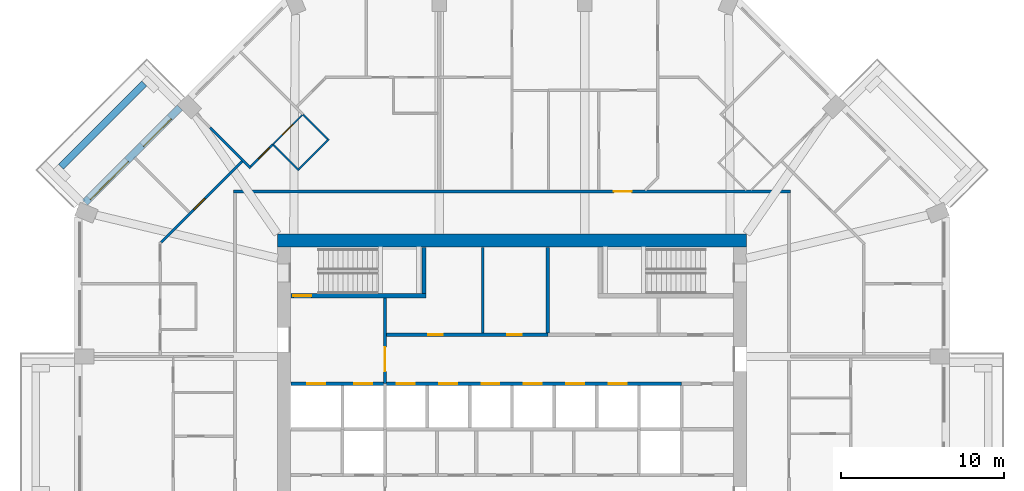
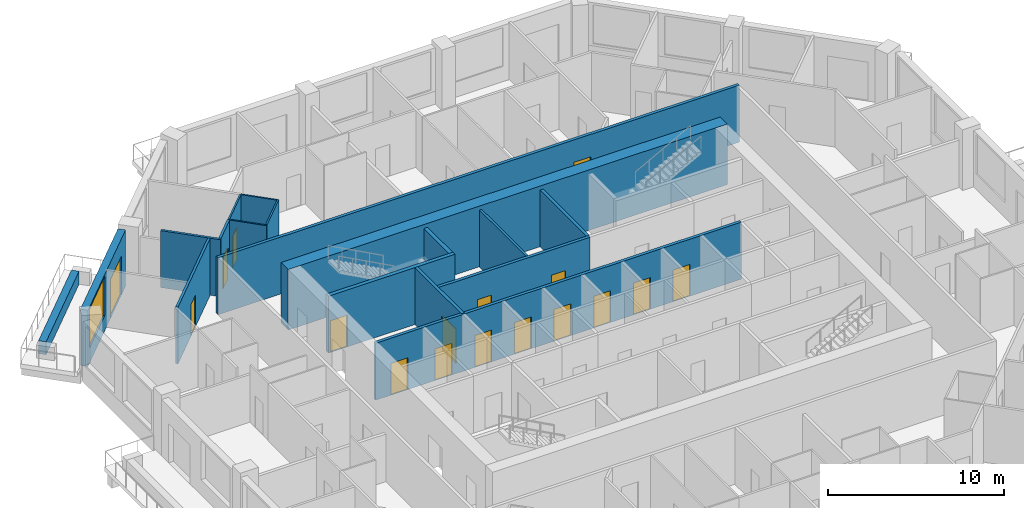
# One storey, part 8 of 13: 18 walls, 17 doors, 1 window, 18 openings.
"""IFC4 building model written with IfcOpenShell, lengths in metres."""

from ifc_helpers import new_model, si_unit, direction, frame, frame_2d, origin, place, context, subcontext, project, spatial, rectangle, extrude, material, layer, layer_set, type_object, element, fill, save


model = new_model("IFC4")

# Units and contexts
model_context = context("Model", 3, precision=1e-05, world=origin(), true_north=direction((0.0, 1.0)))
body_context = subcontext(model_context, "Body", "Model", "MODEL_VIEW")
ifc_project = project(units=[si_unit("LENGTHUNIT", "METRE"), si_unit("AREAUNIT", "SQUARE_METRE"), si_unit("VOLUMEUNIT", "CUBIC_METRE"), si_unit("PLANEANGLEUNIT", "RADIAN"), si_unit("MASSUNIT", "GRAM", prefix="KILO")], contexts=[model_context])

# Site, building, storey
site_placement = place(None, origin())
site = spatial("IfcSite", under=ifc_project, at=site_placement, CompositionType="ELEMENT")
building_placement = place(site_placement, origin())
building = spatial("IfcBuilding", under=site, at=building_placement, Name="Msitu Wima Residences", CompositionType="ELEMENT")
storey_placement = place(building_placement, frame((0.0, 0.0, 114.89990234375)))
storey = spatial("IfcBuildingStorey", under=building, at=storey_placement, Name="L26", CompositionType="ELEMENT", Elevation=114.89990234375)

# Wall
ifc_material_1 = material(Name="Facing brick")
ifc_layer_1 = layer(ifc_material_1, 0.06494140625, Name="Facing brick")
ifc_material_2 = material(Name="Concrete C40/50", Category="concrete")
ifc_layer_2 = layer(ifc_material_2, 0.156005859375, Name="Concrete C40/50")
ifc_material_3 = material(Name="Waterproofing membrane")
ifc_layer_3 = layer(ifc_material_3, 0.00390625, Name="Waterproofing membrane")
ifc_material_4 = material(Name="Planting soil and planting")
ifc_layer_4 = layer(ifc_material_4, 0.22509765625, Name="Planting soil and planting")
ifc_layer_set_1 = layer_set([ifc_layer_1, ifc_layer_2, ifc_layer_3, ifc_layer_4], Name="Concrete C40/50")
wall_type_1 = type_object("IfcWallType", Name="Balcony planter PLANTER PL450", PredefinedType="USERDEFINED", material=ifc_layer_set_1)
wall_1_placement = place(storey_placement, frame((-22.572265625, 21.228759765625, 0.0), z_axis=(0.0, 0.0, 1.0), x_axis=(-0.707106781187, -0.707106781187, 0.0)))
element("IfcWall", 1, at=wall_1_placement, inside=storey, type_object=wall_type_1, Name="Balcony planter NW1 L26", ObjectType="PLANTER", PredefinedType="USERDEFINED", context=body_context, shape_type="SweptSolid", body=[
    extrude(rectangle(XDim=7.23828125, YDim=0.449951171875, at=frame_2d((3.619140625, 0.0))), origin(), (0.0, 0.0, 1.0), 0.900146484375),
])

# Wall, openings, door, window
ifc_material_5 = material(Name="Brick (red buff mix)", Category="masonry")
ifc_layer_5 = layer(ifc_material_5, 0.449951171875)
ifc_layer_set_2 = layer_set([ifc_layer_5], Name="Brick (red buff mix)")
wall_type_2 = type_object("IfcWallType", Name="Brick infill wall BW450", PredefinedType="SOLIDWALL", material=ifc_layer_set_2)
wall_2_placement = place(storey_placement, frame((-20.380126953125, 19.743896484375, 0.0), z_axis=(0.0, 0.0, 1.0), x_axis=(-0.707106781187, -0.707106781187, 0.0)))
wall_2 = element("IfcWall", 2, at=wall_2_placement, inside=storey, type_object=wall_type_2, Name="Brick infill wall L26 NW1", PredefinedType="SOLIDWALL", context=body_context, shape_type="SweptSolid", body=[
    extrude(rectangle(XDim=8.251220703125, YDim=0.449951171875, at=frame_2d((4.12548828125, 0.0))), origin(), (0.0, 0.0, 1.0), 3.900146484375),
])
opening_1_placement = place(wall_2_placement, frame((0.86279296875, 0.0, 0.0)))
opening_1 = element("IfcOpeningElement", 3, at=opening_1_placement, cuts=wall_2, Name="Opening D25-26.005", PredefinedType="OPENING", context=body_context, shape_type="SweptSolid", body=[
    extrude(rectangle(XDim=2.39990234375, YDim=2.699951171875, at=frame_2d((1.199951171875, 1.35009765625))), frame((0.0, 0.23486328125, 0.0), z_axis=(0.0, -1.0, 0.0), x_axis=(1.0, 0.0, 0.0)), (0.0, 0.0, 1.0), 0.469970703125),
])
opening_2_placement = place(wall_2_placement, frame((4.57568359375, 0.0, 1.050048828125)))
opening_2 = element("IfcOpeningElement", 4, at=opening_2_placement, cuts=wall_2, Name="Opening W25-26.015", PredefinedType="OPENING", context=body_context, shape_type="SweptSolid", body=[
    extrude(rectangle(XDim=3.300048828125, YDim=2.699951171875, at=frame_2d((1.64990234375, 1.35009765625))), frame((0.0, 0.23486328125, 0.0), z_axis=(0.0, -1.0, 0.0), x_axis=(1.0, 0.0, 0.0)), (0.0, 0.0, 1.0), 0.469970703125),
])
ifc_material_6 = material(Name="Anodised aluminium, bronze finish, clear low-emissivity double glazing", Category="aluminium")
door_type_1 = type_object("IfcDoorType", Name="Balcony door D2400x2700", OperationType="SLIDING_TO_LEFT", PredefinedType="DOOR", material=ifc_material_6)
door_1_placement = place(opening_1_placement, origin())
door_1 = element("IfcDoor", 5, at=door_1_placement, inside=storey, type_object=door_type_1, Name="Balcony door L26 NW1", OperationType="SINGLE_SWING_LEFT", OverallHeight=2.699951171875, OverallWidth=2.39990234375, PredefinedType="DOOR", context=body_context, shape_type="SweptSolid", body=[
    extrude(rectangle(XDim=2.39990234375, YDim=2.699951171875, at=frame_2d((1.199951171875, 1.35009765625))), frame((0.0, 0.1298828125, 0.0), z_axis=(0.0, -1.0, 0.0), x_axis=(1.0, 0.0, 0.0)), (0.0, 0.0, 1.0), 0.050048828125),
])
fill(opening_1, door_1)
window_type = type_object("IfcWindowType", Name="Window W3300x2700", PartitioningType="DOUBLE_PANEL_VERTICAL", PredefinedType="WINDOW", material=ifc_material_6)
window_placement = place(opening_2_placement, origin())
window = element("IfcWindow", 6, at=window_placement, inside=storey, type_object=window_type, Name="Window L26 NW1.2", OverallHeight=2.699951171875, OverallWidth=3.300048828125, PartitioningType="SINGLE_PANEL", PredefinedType="WINDOW", context=body_context, shape_type="SweptSolid", body=[
    extrude(rectangle(XDim=3.300048828125, YDim=2.699951171875, at=frame_2d((1.64990234375, 1.35009765625))), frame((0.0, 0.135009765625, 0.0), z_axis=(0.0, -1.0, 0.0), x_axis=(1.0, 0.0, 0.0)), (0.0, 0.0, 1.0), 0.06005859375),
])
fill(opening_2, window)

# Wall
ifc_material_7 = material(Name="Concrete C70/85", Category="concrete")
ifc_layer_6 = layer(ifc_material_7, 0.800048828125)
ifc_layer_set_3 = layer_set([ifc_layer_6], Name="Concrete C70/85")
wall_type_3 = type_object("IfcWallType", Name="Core wall CW800 C70/85", PredefinedType="SHEAR", material=ifc_layer_set_3)
wall_3_placement = place(storey_placement, frame((-14.39990234375, 11.60009765625, 0.0), z_axis=(0.0, 0.0, 1.0), x_axis=(1.0, 0.0, 0.0)))
element("IfcWall", 7, at=wall_3_placement, inside=storey, type_object=wall_type_3, Name="Core wall", PredefinedType="SHEAR", context=body_context, shape_type="SweptSolid", body=[
    extrude(rectangle(XDim=28.7998046875, YDim=0.800048828125, at=frame_2d((14.39990234375, 0.0))), origin(), (0.0, 0.0, 1.0), 4.2001953125),
])

# Wall, opening, door
ifc_material_8 = material(Name="Plaster")
ifc_layer_7 = layer(ifc_material_8, 0.011962890625, Name="Plaster")
ifc_material_9 = material(Name="Concrete blockwork", Category="masonry")
ifc_layer_8 = layer(ifc_material_9, 0.176025390625, Name="Concrete blockwork")
ifc_layer_9 = layer(ifc_material_8, 0.011962890625, Name="Plaster")
ifc_layer_set_4 = layer_set([ifc_layer_7, ifc_layer_8, ifc_layer_9], Name="Concrete blockwork")
wall_type_4 = type_object("IfcWallType", Name="Corridor wall FW200", PredefinedType="PARTITIONING", material=ifc_layer_set_4)
wall_4_placement = place(storey_placement, frame((-17.10009765625, 14.60009765625, 0.0), z_axis=(0.0, 0.0, 1.0), x_axis=(1.0, 0.0, 0.0)))
wall_4 = element("IfcWall", 8, at=wall_4_placement, inside=storey, type_object=wall_type_4, Name="Corridor wall", PredefinedType="PARTITIONING", context=body_context, shape_type="SweptSolid", body=[
    extrude(rectangle(XDim=34.2001953125, YDim=0.199951171875, at=frame_2d((17.10009765625, 0.0))), origin(), (0.0, 0.0, 1.0), 3.9501953125),
])
opening_3_placement = place(wall_4_placement, frame((23.35009765625, 0.0, 0.0)))
opening_3 = element("IfcOpeningElement", 9, at=opening_3_placement, cuts=wall_4, Name="Opening D25-26.011", PredefinedType="OPENING", context=body_context, shape_type="SweptSolid", body=[
    extrude(rectangle(XDim=1.10009765625, YDim=2.39990234375, at=frame_2d((0.550048828125, 1.199951171875))), frame((0.0, 0.10986328125, 0.0), z_axis=(0.0, -1.0, 0.0), x_axis=(1.0, 0.0, 0.0)), (0.0, 0.0, 1.0), 0.219970703125),
])
ifc_material_10 = material(Name="Timber flush door, fire resisting, self-closing", Category="wood")
door_type_2 = type_object("IfcDoorType", Name="Flat entrance door D01 1100x2400", OperationType="SINGLE_SWING_LEFT", PredefinedType="DOOR", material=ifc_material_10)
door_2_placement = place(opening_3_placement, origin())
door_2 = element("IfcDoor", 10, at=door_2_placement, inside=storey, type_object=door_type_2, Name="Flat entrance door", OperationType="SINGLE_SWING_LEFT", OverallHeight=2.39990234375, OverallWidth=1.10009765625, PredefinedType="DOOR", context=body_context, shape_type="SweptSolid", body=[
    extrude(rectangle(XDim=1.10009765625, YDim=2.39990234375, at=frame_2d((0.550048828125, 1.199951171875))), frame((0.0, 0.02490234375, 0.0), z_axis=(0.0, -1.0, 0.0), x_axis=(1.0, 0.0, 0.0)), (0.0, 0.0, 1.0), 0.050048828125),
])
fill(opening_3, door_2)

wall_5_placement = place(storey_placement, frame((-7.800048828125, 2.800048828125, 0.0), z_axis=(0.0, 0.0, 1.0), x_axis=(0.0, 1.0, 0.0)))
wall_5 = element("IfcWall", 11, at=wall_5_placement, inside=storey, type_object=wall_type_4, Name="Corridor wall", PredefinedType="PARTITIONING", context=body_context, shape_type="SweptSolid", body=[
    extrude(rectangle(XDim=5.27490234375, YDim=0.199951171875, at=frame_2d((2.637451171875, 0.0))), origin(), (0.0, 0.0, 1.0), 3.9501953125),
])
opening_4_placement = place(wall_5_placement, frame((0.75, 0.0, 0.0)))
opening_4 = element("IfcOpeningElement", 12, at=opening_4_placement, cuts=wall_5, Name="Opening D25-26.017", PredefinedType="OPENING", context=body_context, shape_type="SweptSolid", body=[
    extrude(rectangle(XDim=1.5, YDim=2.39990234375, at=frame_2d((0.75, 1.199951171875))), frame((0.0, 0.10986328125, 0.0), z_axis=(0.0, -1.0, 0.0), x_axis=(1.0, 0.0, 0.0)), (0.0, 0.0, 1.0), 0.219970703125),
])
ifc_material_11 = material(Name="Steel framed glazed door, fire resisting", Category="steel")
door_type_3 = type_object("IfcDoorType", Name="Lobby door D07 1500x2400", OperationType="DOUBLE_DOOR_SINGLE_SWING", PredefinedType="DOOR", material=ifc_material_11)
door_3_placement = place(opening_4_placement, origin())
door_3 = element("IfcDoor", 13, at=door_3_placement, inside=storey, type_object=door_type_3, Name="Lobby door", OperationType="DOUBLE_DOOR_SINGLE_SWING", OverallHeight=2.39990234375, OverallWidth=1.5, PredefinedType="DOOR", context=body_context, shape_type="SweptSolid", body=[
    extrude(rectangle(XDim=1.5, YDim=2.39990234375, at=frame_2d((0.75, 1.199951171875))), frame((0.0, 0.02490234375, 0.0), z_axis=(0.0, -1.0, 0.0), x_axis=(1.0, 0.0, 0.0)), (0.0, 0.0, 1.0), 0.050048828125),
])
fill(opening_4, door_3)

# Wall, openings, doors
wall_6_placement = place(storey_placement, frame((-7.699951171875, 5.800048828125, 0.0), z_axis=(0.0, 0.0, 1.0), x_axis=(1.0, 0.0, 0.0)))
wall_6 = element("IfcWall", 14, at=wall_6_placement, inside=storey, type_object=wall_type_4, Name="Corridor wall", PredefinedType="PARTITIONING", context=body_context, shape_type="SweptSolid", body=[
    extrude(rectangle(XDim=9.919921875, YDim=0.199951171875, at=frame_2d((4.9599609375, 0.0))), origin(), (0.0, 0.0, 1.0), 3.9501953125),
])
opening_5_placement = place(wall_6_placement, frame((2.550048828125, 0.0, 0.0)))
opening_5 = element("IfcOpeningElement", 15, at=opening_5_placement, cuts=wall_6, Name="Opening D25-26.020", PredefinedType="OPENING", context=body_context, shape_type="SweptSolid", body=[
    extrude(rectangle(XDim=0.89990234375, YDim=2.199951171875, at=frame_2d((0.449951171875, 1.10009765625))), frame((0.0, 0.10986328125, 0.0), z_axis=(0.0, -1.0, 0.0), x_axis=(1.0, 0.0, 0.0)), (0.0, 0.0, 1.0), 0.219970703125),
])
opening_6_placement = place(wall_6_placement, frame((7.39990234375, 0.0, 0.0)))
opening_6 = element("IfcOpeningElement", 16, at=opening_6_placement, cuts=wall_6, Name="Opening D25-26.021", PredefinedType="OPENING", context=body_context, shape_type="SweptSolid", body=[
    extrude(rectangle(XDim=0.89990234375, YDim=2.199951171875, at=frame_2d((0.449951171875, 1.10009765625))), frame((0.0, 0.10986328125, 0.0), z_axis=(0.0, -1.0, 0.0), x_axis=(1.0, 0.0, 0.0)), (0.0, 0.0, 1.0), 0.219970703125),
])
ifc_material_12 = material(Name="Timber flush door", Category="wood")
door_type_4 = type_object("IfcDoorType", Name="Service door D05 900x2200", OperationType="SINGLE_SWING_LEFT", PredefinedType="DOOR", material=ifc_material_12)
door_4_placement = place(opening_5_placement, origin())
door_4 = element("IfcDoor", 17, at=door_4_placement, inside=storey, type_object=door_type_4, Name="Service door", OperationType="SINGLE_SWING_RIGHT", OverallHeight=2.199951171875, OverallWidth=0.89990234375, PredefinedType="DOOR", context=body_context, shape_type="SweptSolid", body=[
    extrude(rectangle(XDim=0.89990234375, YDim=2.199951171875, at=frame_2d((0.449951171875, 1.10009765625))), frame((0.0, 0.02490234375, 0.0), z_axis=(0.0, -1.0, 0.0), x_axis=(1.0, 0.0, 0.0)), (0.0, 0.0, 1.0), 0.050048828125),
])
fill(opening_5, door_4)
door_5_placement = place(opening_6_placement, origin())
door_5 = element("IfcDoor", 18, at=door_5_placement, inside=storey, type_object=door_type_4, Name="Service door", OperationType="SINGLE_SWING_LEFT", OverallHeight=2.199951171875, OverallWidth=0.89990234375, PredefinedType="DOOR", context=body_context, shape_type="SweptSolid", body=[
    extrude(rectangle(XDim=0.89990234375, YDim=2.199951171875, at=frame_2d((0.449951171875, 1.10009765625))), frame((0.0, 0.02490234375, 0.0), z_axis=(0.0, -1.0, 0.0), x_axis=(1.0, 0.0, 0.0)), (0.0, 0.0, 1.0), 0.050048828125),
])
fill(opening_6, door_5)

# Wall, opening, door
ifc_layer_10 = layer(ifc_material_8, 0.011962890625, Name="Plaster")
ifc_layer_11 = layer(ifc_material_9, 0.1259765625, Name="Concrete blockwork")
ifc_layer_12 = layer(ifc_material_8, 0.011962890625, Name="Plaster")
ifc_layer_set_5 = layer_set([ifc_layer_10, ifc_layer_11, ifc_layer_12], Name="Concrete blockwork")
wall_type_5 = type_object("IfcWallType", Name="Partition PW150", PredefinedType="PARTITIONING", material=ifc_layer_set_5)
wall_7_placement = place(storey_placement, frame((-21.546875, 11.470703125, 0.0), z_axis=(0.0, 0.0, 1.0), x_axis=(0.707106781187, 0.707106781187, 0.0)))
wall_7 = element("IfcWall", 19, at=wall_7_placement, inside=storey, type_object=wall_type_5, Name="Partition", PredefinedType="PARTITIONING", context=body_context, shape_type="SweptSolid", body=[
    extrude(rectangle(XDim=7.050048828125, YDim=0.14990234375, at=frame_2d((3.52490234375, 0.0))), origin(), (0.0, 0.0, 1.0), 3.9501953125),
])
opening_7_placement = place(wall_7_placement, frame((2.85009765625, 0.0, 0.0)))
opening_7 = element("IfcOpeningElement", 20, at=opening_7_placement, cuts=wall_7, Name="Opening D25-26.051", PredefinedType="OPENING", context=body_context, shape_type="SweptSolid", body=[
    extrude(rectangle(XDim=0.949951171875, YDim=2.199951171875, at=frame_2d((0.47509765625, 1.10009765625))), frame((0.0, 0.0849609375, 0.0), z_axis=(0.0, -1.0, 0.0), x_axis=(1.0, 0.0, 0.0)), (0.0, 0.0, 1.0), 0.169921875),
])
door_type_5 = type_object("IfcDoorType", Name="Room door D12 950x2200", OperationType="SINGLE_SWING_LEFT", PredefinedType="DOOR", material=ifc_material_12)
door_6_placement = place(opening_7_placement, origin())
door_6 = element("IfcDoor", 21, at=door_6_placement, inside=storey, type_object=door_type_5, Name="Room door", OperationType="SINGLE_SWING_LEFT", OverallHeight=2.199951171875, OverallWidth=0.949951171875, PredefinedType="DOOR", context=body_context, shape_type="SweptSolid", body=[
    extrude(rectangle(XDim=0.949951171875, YDim=2.199951171875, at=frame_2d((0.47509765625, 1.10009765625))), frame((0.0, 0.02490234375, 0.0), z_axis=(0.0, -1.0, 0.0), x_axis=(1.0, 0.0, 0.0)), (0.0, 0.0, 1.0), 0.050048828125),
])
fill(opening_7, door_6)

# Wall
wall_8_placement = place(storey_placement, frame((-18.517578125, 18.517578125, 0.0), z_axis=(0.0, 0.0, 1.0), x_axis=(0.707106781187, -0.707106781187, 0.0)))
element("IfcWall", 22, at=wall_8_placement, inside=storey, type_object=wall_type_5, Name="Partition", PredefinedType="PARTITIONING", context=body_context, shape_type="SweptSolid", body=[
    extrude(rectangle(XDim=3.515869140625, YDim=0.14990234375, at=frame_2d((1.7578125, 0.0))), origin(), (0.0, 0.0, 1.0), 3.9501953125),
])

# Wall, opening, door
wall_9_placement = place(storey_placement, frame((-16.031494140625, 16.1376953125, 0.0), z_axis=(0.0, 0.0, 1.0), x_axis=(0.707106781187, 0.707106781187, 0.0)))
wall_9 = element("IfcWall", 23, at=wall_9_placement, inside=storey, type_object=wall_type_5, Name="Partition", PredefinedType="PARTITIONING", context=body_context, shape_type="SweptSolid", body=[
    extrude(rectangle(XDim=1.89892578125, YDim=0.14990234375, at=frame_2d((0.949462890625, 0.0))), origin(), (0.0, 0.0, 1.0), 3.9501953125),
])
opening_8_placement = place(wall_9_placement, frame((0.64990234375, 0.0, 0.0)))
opening_8 = element("IfcOpeningElement", 24, at=opening_8_placement, cuts=wall_9, Name="Opening D25-26.057", PredefinedType="OPENING", context=body_context, shape_type="SweptSolid", body=[
    extrude(rectangle(XDim=0.949951171875, YDim=2.199951171875, at=frame_2d((0.47509765625, 1.10009765625))), frame((0.0, 0.0849609375, 0.0), z_axis=(0.0, -1.0, 0.0), x_axis=(1.0, 0.0, 0.0)), (0.0, 0.0, 1.0), 0.169921875),
])
door_7_placement = place(opening_8_placement, origin())
door_7 = element("IfcDoor", 25, at=door_7_placement, inside=storey, type_object=door_type_5, Name="Room door", OperationType="SINGLE_SWING_LEFT", OverallHeight=2.199951171875, OverallWidth=0.949951171875, PredefinedType="DOOR", context=body_context, shape_type="SweptSolid", body=[
    extrude(rectangle(XDim=0.949951171875, YDim=2.199951171875, at=frame_2d((0.47509765625, 1.10009765625))), frame((0.0, 0.02490234375, 0.0), z_axis=(0.0, -1.0, 0.0), x_axis=(1.0, 0.0, 0.0)), (0.0, 0.0, 1.0), 0.050048828125),
])
fill(opening_8, door_7)

# Walls
wall_10_placement = place(storey_placement, frame((-1.800048828125, 5.89990234375, 0.0), z_axis=(0.0, 0.0, 1.0), x_axis=(0.0, 1.0, 0.0)))
element("IfcWall", 26, at=wall_10_placement, inside=storey, type_object=wall_type_5, Name="Partition", PredefinedType="PARTITIONING", context=body_context, shape_type="SweptSolid", body=[
    extrude(rectangle(XDim=5.27001953125, YDim=0.14990234375, at=frame_2d((2.635009765625, 0.0))), origin(), (0.0, 0.0, 1.0), 3.9501953125),
])
ifc_layer_13 = layer(ifc_material_8, 0.011962890625, Name="Plaster")
ifc_material_13 = material(Name="Reinforced concrete blockwork", Category="masonry")
ifc_layer_14 = layer(ifc_material_13, 0.176025390625, Name="Reinforced concrete blockwork")
ifc_layer_15 = layer(ifc_material_8, 0.011962890625, Name="Plaster")
ifc_layer_set_6 = layer_set([ifc_layer_13, ifc_layer_14, ifc_layer_15], Name="Reinforced concrete blockwork")
wall_type_6 = type_object("IfcWallType", Name="Plant and riser wall PL200", PredefinedType="PARTITIONING", material=ifc_layer_set_6)
wall_11_placement = place(storey_placement, frame((2.199951171875, 5.89990234375, 0.0), z_axis=(0.0, 0.0, 1.0), x_axis=(0.0, 1.0, 0.0)))
element("IfcWall", 27, at=wall_11_placement, inside=storey, type_object=wall_type_6, Name="Plant and riser wall", PredefinedType="PARTITIONING", context=body_context, shape_type="SweptSolid", body=[
    extrude(rectangle(XDim=5.27001953125, YDim=0.199951171875, at=frame_2d((2.635009765625, 0.0))), origin(), (0.0, 0.0, 1.0), 3.9501953125),
])

# Wall, openings, doors
ifc_material_14 = material(Name="Fire-rated board")
ifc_layer_16 = layer(ifc_material_14, 0.02490234375, Name="Fire-rated board")
ifc_material_15 = material(Name="Light-gauge stud framing with mineral wool")
ifc_layer_17 = layer(ifc_material_15, 0.14990234375, Name="Light-gauge stud framing with mineral wool")
ifc_layer_18 = layer(ifc_material_14, 0.02490234375, Name="Fire-rated board")
ifc_layer_set_7 = layer_set([ifc_layer_16, ifc_layer_17, ifc_layer_18], Name="Light-gauge stud framing with mineral wool")
wall_type_7 = type_object("IfcWallType", Name="Shaft wall SH200", PredefinedType="PARTITIONING", material=ifc_layer_set_7)
wall_12_placement = place(storey_placement, frame((-13.570068359375, 2.800048828125, 0.0), z_axis=(0.0, 0.0, 1.0), x_axis=(1.0, 0.0, 0.0)))
wall_12 = element("IfcWall", 28, at=wall_12_placement, inside=storey, type_object=wall_type_7, Name="Shaft wall", PredefinedType="PARTITIONING", context=body_context, shape_type="SweptSolid", body=[
    extrude(rectangle(XDim=23.969970703125, YDim=0.199951171875, at=frame_2d((11.98486328125, 0.0))), origin(), (0.0, 0.0, 1.0), 3.9501953125),
])
opening_9_placement = place(wall_12_placement, frame((1.0, 0.0, 0.0)))
opening_9 = element("IfcOpeningElement", 29, at=opening_9_placement, cuts=wall_12, Name="Opening LD", PredefinedType="OPENING", context=body_context, shape_type="SweptSolid", body=[
    extrude(rectangle(XDim=1.10009765625, YDim=2.199951171875, at=frame_2d((0.550048828125, 1.10009765625))), frame((0.0, 0.10986328125, 0.0), z_axis=(0.0, -1.0, 0.0), x_axis=(1.0, 0.0, 0.0)), (0.0, 0.0, 1.0), 0.219970703125),
])
opening_10_placement = place(wall_12_placement, frame((3.89990234375, 0.0, 0.0)))
opening_10 = element("IfcOpeningElement", 30, at=opening_10_placement, cuts=wall_12, Name="Opening LD", PredefinedType="OPENING", context=body_context, shape_type="SweptSolid", body=[
    extrude(rectangle(XDim=1.10009765625, YDim=2.199951171875, at=frame_2d((0.550048828125, 1.10009765625))), frame((0.0, 0.10986328125, 0.0), z_axis=(0.0, -1.0, 0.0), x_axis=(1.0, 0.0, 0.0)), (0.0, 0.0, 1.0), 0.219970703125),
])
opening_11_placement = place(wall_12_placement, frame((6.5, 0.0, 0.0)))
opening_11 = element("IfcOpeningElement", 31, at=opening_11_placement, cuts=wall_12, Name="Opening LD", PredefinedType="OPENING", context=body_context, shape_type="SweptSolid", body=[
    extrude(rectangle(XDim=1.10009765625, YDim=2.199951171875, at=frame_2d((0.550048828125, 1.10009765625))), frame((0.0, 0.10986328125, 0.0), z_axis=(0.0, -1.0, 0.0), x_axis=(1.0, 0.0, 0.0)), (0.0, 0.0, 1.0), 0.219970703125),
])
opening_12_placement = place(wall_12_placement, frame((9.10009765625, 0.0, 0.0)))
opening_12 = element("IfcOpeningElement", 32, at=opening_12_placement, cuts=wall_12, Name="Opening LD", PredefinedType="OPENING", context=body_context, shape_type="SweptSolid", body=[
    extrude(rectangle(XDim=1.10009765625, YDim=2.199951171875, at=frame_2d((0.550048828125, 1.10009765625))), frame((0.0, 0.10986328125, 0.0), z_axis=(0.0, -1.0, 0.0), x_axis=(1.0, 0.0, 0.0)), (0.0, 0.0, 1.0), 0.219970703125),
])
opening_13_placement = place(wall_12_placement, frame((11.699951171875, 0.0, 0.0)))
opening_13 = element("IfcOpeningElement", 33, at=opening_13_placement, cuts=wall_12, Name="Opening LD", PredefinedType="OPENING", context=body_context, shape_type="SweptSolid", body=[
    extrude(rectangle(XDim=1.10009765625, YDim=2.199951171875, at=frame_2d((0.550048828125, 1.10009765625))), frame((0.0, 0.10986328125, 0.0), z_axis=(0.0, -1.0, 0.0), x_axis=(1.0, 0.0, 0.0)), (0.0, 0.0, 1.0), 0.219970703125),
])
opening_14_placement = place(wall_12_placement, frame((14.300048828125, 0.0, 0.0)))
opening_14 = element("IfcOpeningElement", 34, at=opening_14_placement, cuts=wall_12, Name="Opening LD", PredefinedType="OPENING", context=body_context, shape_type="SweptSolid", body=[
    extrude(rectangle(XDim=1.10009765625, YDim=2.199951171875, at=frame_2d((0.550048828125, 1.10009765625))), frame((0.0, 0.10986328125, 0.0), z_axis=(0.0, -1.0, 0.0), x_axis=(1.0, 0.0, 0.0)), (0.0, 0.0, 1.0), 0.219970703125),
])
opening_15_placement = place(wall_12_placement, frame((16.89990234375, 0.0, 0.0)))
opening_15 = element("IfcOpeningElement", 35, at=opening_15_placement, cuts=wall_12, Name="Opening LD", PredefinedType="OPENING", context=body_context, shape_type="SweptSolid", body=[
    extrude(rectangle(XDim=1.10009765625, YDim=2.199951171875, at=frame_2d((0.550048828125, 1.10009765625))), frame((0.0, 0.10986328125, 0.0), z_axis=(0.0, -1.0, 0.0), x_axis=(1.0, 0.0, 0.0)), (0.0, 0.0, 1.0), 0.219970703125),
])
opening_16_placement = place(wall_12_placement, frame((19.5, 0.0, 0.0)))
opening_16 = element("IfcOpeningElement", 36, at=opening_16_placement, cuts=wall_12, Name="Opening LD", PredefinedType="OPENING", context=body_context, shape_type="SweptSolid", body=[
    extrude(rectangle(XDim=1.10009765625, YDim=2.199951171875, at=frame_2d((0.550048828125, 1.10009765625))), frame((0.0, 0.10986328125, 0.0), z_axis=(0.0, -1.0, 0.0), x_axis=(1.0, 0.0, 0.0)), (0.0, 0.0, 1.0), 0.219970703125),
])
ifc_material_16 = material(Name="Stainless steel centre-opening landing door, rated", Category="steel")
door_type_6 = type_object("IfcDoorType", Name="Lift landing door LD 1100x2200", OperationType="DOUBLE_DOOR_SLIDING", PredefinedType="DOOR", material=ifc_material_16)
door_8_placement = place(opening_9_placement, origin())
door_8 = element("IfcDoor", 37, at=door_8_placement, inside=storey, type_object=door_type_6, Name="Lift landing door LD1", OperationType="DOUBLE_DOOR_SLIDING", OverallHeight=2.199951171875, OverallWidth=1.10009765625, PredefinedType="DOOR", context=body_context, shape_type="SweptSolid", body=[
    extrude(rectangle(XDim=1.10009765625, YDim=2.199951171875, at=frame_2d((0.550048828125, 1.10009765625))), frame((0.0, 0.02490234375, 0.0), z_axis=(0.0, -1.0, 0.0), x_axis=(1.0, 0.0, 0.0)), (0.0, 0.0, 1.0), 0.050048828125),
])
fill(opening_9, door_8)
door_9_placement = place(opening_10_placement, origin())
door_9 = element("IfcDoor", 38, at=door_9_placement, inside=storey, type_object=door_type_6, Name="Lift landing door LD2", OperationType="DOUBLE_DOOR_SLIDING", OverallHeight=2.199951171875, OverallWidth=1.10009765625, PredefinedType="DOOR", context=body_context, shape_type="SweptSolid", body=[
    extrude(rectangle(XDim=1.10009765625, YDim=2.199951171875, at=frame_2d((0.550048828125, 1.10009765625))), frame((0.0, 0.02490234375, 0.0), z_axis=(0.0, -1.0, 0.0), x_axis=(1.0, 0.0, 0.0)), (0.0, 0.0, 1.0), 0.050048828125),
])
fill(opening_10, door_9)
door_10_placement = place(opening_11_placement, origin())
door_10 = element("IfcDoor", 39, at=door_10_placement, inside=storey, type_object=door_type_6, Name="Lift landing door LD4", OperationType="DOUBLE_DOOR_SLIDING", OverallHeight=2.199951171875, OverallWidth=1.10009765625, PredefinedType="DOOR", context=body_context, shape_type="SweptSolid", body=[
    extrude(rectangle(XDim=1.10009765625, YDim=2.199951171875, at=frame_2d((0.550048828125, 1.10009765625))), frame((0.0, 0.02490234375, 0.0), z_axis=(0.0, -1.0, 0.0), x_axis=(1.0, 0.0, 0.0)), (0.0, 0.0, 1.0), 0.050048828125),
])
fill(opening_11, door_10)
door_11_placement = place(opening_12_placement, origin())
door_11 = element("IfcDoor", 40, at=door_11_placement, inside=storey, type_object=door_type_6, Name="Lift landing door LD6", OperationType="DOUBLE_DOOR_SLIDING", OverallHeight=2.199951171875, OverallWidth=1.10009765625, PredefinedType="DOOR", context=body_context, shape_type="SweptSolid", body=[
    extrude(rectangle(XDim=1.10009765625, YDim=2.199951171875, at=frame_2d((0.550048828125, 1.10009765625))), frame((0.0, 0.02490234375, 0.0), z_axis=(0.0, -1.0, 0.0), x_axis=(1.0, 0.0, 0.0)), (0.0, 0.0, 1.0), 0.050048828125),
])
fill(opening_12, door_11)
door_12_placement = place(opening_13_placement, origin())
door_12 = element("IfcDoor", 41, at=door_12_placement, inside=storey, type_object=door_type_6, Name="Lift landing door LD8", OperationType="DOUBLE_DOOR_SLIDING", OverallHeight=2.199951171875, OverallWidth=1.10009765625, PredefinedType="DOOR", context=body_context, shape_type="SweptSolid", body=[
    extrude(rectangle(XDim=1.10009765625, YDim=2.199951171875, at=frame_2d((0.550048828125, 1.10009765625))), frame((0.0, 0.02490234375, 0.0), z_axis=(0.0, -1.0, 0.0), x_axis=(1.0, 0.0, 0.0)), (0.0, 0.0, 1.0), 0.050048828125),
])
fill(opening_13, door_12)
door_13_placement = place(opening_14_placement, origin())
door_13 = element("IfcDoor", 42, at=door_13_placement, inside=storey, type_object=door_type_6, Name="Lift landing door LD10", OperationType="DOUBLE_DOOR_SLIDING", OverallHeight=2.199951171875, OverallWidth=1.10009765625, PredefinedType="DOOR", context=body_context, shape_type="SweptSolid", body=[
    extrude(rectangle(XDim=1.10009765625, YDim=2.199951171875, at=frame_2d((0.550048828125, 1.10009765625))), frame((0.0, 0.02490234375, 0.0), z_axis=(0.0, -1.0, 0.0), x_axis=(1.0, 0.0, 0.0)), (0.0, 0.0, 1.0), 0.050048828125),
])
fill(opening_14, door_13)
door_14_placement = place(opening_15_placement, origin())
door_14 = element("IfcDoor", 43, at=door_14_placement, inside=storey, type_object=door_type_6, Name="Lift landing door LD12", OperationType="DOUBLE_DOOR_SLIDING", OverallHeight=2.199951171875, OverallWidth=1.10009765625, PredefinedType="DOOR", context=body_context, shape_type="SweptSolid", body=[
    extrude(rectangle(XDim=1.10009765625, YDim=2.199951171875, at=frame_2d((0.550048828125, 1.10009765625))), frame((0.0, 0.02490234375, 0.0), z_axis=(0.0, -1.0, 0.0), x_axis=(1.0, 0.0, 0.0)), (0.0, 0.0, 1.0), 0.050048828125),
])
fill(opening_15, door_14)
door_15_placement = place(opening_16_placement, origin())
door_15 = element("IfcDoor", 44, at=door_15_placement, inside=storey, type_object=door_type_6, Name="Lift landing door LD14", OperationType="DOUBLE_DOOR_SLIDING", OverallHeight=2.199951171875, OverallWidth=1.10009765625, PredefinedType="DOOR", context=body_context, shape_type="SweptSolid", body=[
    extrude(rectangle(XDim=1.10009765625, YDim=2.199951171875, at=frame_2d((0.550048828125, 1.10009765625))), frame((0.0, 0.02490234375, 0.0), z_axis=(0.0, -1.0, 0.0), x_axis=(1.0, 0.0, 0.0)), (0.0, 0.0, 1.0), 0.050048828125),
])
fill(opening_16, door_15)

# Wall, opening, door
ifc_material_17 = material(Name="Concrete C50/60", Category="concrete")
ifc_layer_19 = layer(ifc_material_17, 0.25)
ifc_layer_set_8 = layer_set([ifc_layer_19], Name="Concrete C50/60")
wall_type_8 = type_object("IfcWallType", Name="Stair enclosure wall SW250", PredefinedType="SHEAR", material=ifc_layer_set_8)
wall_13_placement = place(storey_placement, frame((-13.570068359375, 8.199951171875, 0.0), z_axis=(0.0, 0.0, 1.0), x_axis=(1.0, 0.0, 0.0)))
wall_13 = element("IfcWall", 45, at=wall_13_placement, inside=storey, type_object=wall_type_8, Name="Stair enclosure wall", PredefinedType="SHEAR", context=body_context, shape_type="SweptSolid", body=[
    extrude(rectangle(XDim=8.295166015625, YDim=0.25, at=frame_2d((4.1474609375, 0.0))), origin(), (0.0, 0.0, 1.0), 3.9501953125),
])
opening_17_placement = place(wall_13_placement, frame((0.14990234375, 0.0, 0.0)))
opening_17 = element("IfcOpeningElement", 46, at=opening_17_placement, cuts=wall_13, Name="Opening D25-26.037", PredefinedType="OPENING", context=body_context, shape_type="SweptSolid", body=[
    extrude(rectangle(XDim=1.10009765625, YDim=2.199951171875, at=frame_2d((0.550048828125, 1.10009765625))), frame((0.0, 0.135009765625, 0.0), z_axis=(0.0, -1.0, 0.0), x_axis=(1.0, 0.0, 0.0)), (0.0, 0.0, 1.0), 0.27001953125),
])
ifc_material_18 = material(Name="Steel door, fire resisting, panic bar", Category="steel")
door_type_7 = type_object("IfcDoorType", Name="Stair door D06 1100x2200", OperationType="SINGLE_SWING_LEFT", PredefinedType="DOOR", material=ifc_material_18)
door_16_placement = place(opening_17_placement, origin())
door_16 = element("IfcDoor", 47, at=door_16_placement, inside=storey, type_object=door_type_7, Name="Stair door", OperationType="SINGLE_SWING_LEFT", OverallHeight=2.199951171875, OverallWidth=1.10009765625, PredefinedType="DOOR", context=body_context, shape_type="SweptSolid", body=[
    extrude(rectangle(XDim=1.10009765625, YDim=2.199951171875, at=frame_2d((0.550048828125, 1.10009765625))), frame((0.0, 0.02490234375, 0.0), z_axis=(0.0, -1.0, 0.0), x_axis=(1.0, 0.0, 0.0)), (0.0, 0.0, 1.0), 0.050048828125),
])
fill(opening_17, door_16)

# Wall
wall_14_placement = place(storey_placement, frame((-5.39990234375, 8.324951171875, 0.0), z_axis=(0.0, 0.0, 1.0), x_axis=(0.0, 1.0, 0.0)))
element("IfcWall", 48, at=wall_14_placement, inside=storey, type_object=wall_type_8, Name="Stair enclosure wall", PredefinedType="SHEAR", context=body_context, shape_type="SweptSolid", body=[
    extrude(rectangle(XDim=2.844970703125, YDim=0.25, at=frame_2d((1.42236328125, 0.0))), origin(), (0.0, 0.0, 1.0), 3.9501953125),
])

# Wall, opening, door
ifc_material_19 = material(Name="Ceramic tiles")
ifc_layer_20 = layer(ifc_material_19, 0.008056640625, Name="Ceramic tiles")
ifc_material_20 = material(Name="Moisture-resistant board")
ifc_layer_21 = layer(ifc_material_20, 0.012451171875, Name="Moisture-resistant board")
ifc_layer_22 = layer(ifc_material_15, 0.06689453125, Name="Light-gauge stud framing with mineral wool")
ifc_layer_23 = layer(ifc_material_20, 0.012451171875, Name="Moisture-resistant board")
ifc_layer_set_9 = layer_set([ifc_layer_20, ifc_layer_21, ifc_layer_22, ifc_layer_23], Name="Light-gauge stud framing with mineral wool")
wall_type_9 = type_object("IfcWallType", Name="Wet wall PW100", PredefinedType="PARTITIONING", material=ifc_layer_set_9)
wall_15_placement = place(storey_placement, frame((-14.688720703125, 17.48046875, 0.0), z_axis=(0.0, 0.0, 1.0), x_axis=(0.707106781187, 0.707106781187, 0.0)))
wall_15 = element("IfcWall", 49, at=wall_15_placement, inside=storey, type_object=wall_type_9, Name="Wet wall", PredefinedType="PARTITIONING", context=body_context, shape_type="SweptSolid", body=[
    extrude(rectangle(XDim=2.570068359375, YDim=0.10009765625, at=frame_2d((1.28515625, 0.0))), origin(), (0.0, 0.0, 1.0), 3.9501953125),
])
opening_18_placement = place(wall_15_placement, frame((0.85009765625, 0.0, 0.0)))
opening_18 = element("IfcOpeningElement", 50, at=opening_18_placement, cuts=wall_15, Name="Opening D25-26.058", PredefinedType="OPENING", context=body_context, shape_type="SweptSolid", body=[
    extrude(rectangle(XDim=0.89990234375, YDim=2.199951171875, at=frame_2d((0.449951171875, 1.10009765625))), frame((0.0, 0.06005859375, 0.0), z_axis=(0.0, -1.0, 0.0), x_axis=(1.0, 0.0, 0.0)), (0.0, 0.0, 1.0), 0.1201171875),
])
ifc_material_21 = material(Name="Timber flush door, moisture resistant", Category="wood")
door_type_8 = type_object("IfcDoorType", Name="Bathroom door D03 900x2200", OperationType="SINGLE_SWING_LEFT", PredefinedType="DOOR", material=ifc_material_21)
door_17_placement = place(opening_18_placement, origin())
door_17 = element("IfcDoor", 51, at=door_17_placement, inside=storey, type_object=door_type_8, Name="Bathroom door", OperationType="SINGLE_SWING_RIGHT", OverallHeight=2.199951171875, OverallWidth=0.89990234375, PredefinedType="DOOR", context=body_context, shape_type="SweptSolid", body=[
    extrude(rectangle(XDim=0.89990234375, YDim=2.199951171875, at=frame_2d((0.449951171875, 1.10009765625))), frame((0.0, 0.02490234375, 0.0), z_axis=(0.0, -1.0, 0.0), x_axis=(1.0, 0.0, 0.0)), (0.0, 0.0, 1.0), 0.050048828125),
])
fill(opening_18, door_17)

# Walls
wall_16_placement = place(storey_placement, frame((-14.63916015625, 17.459228515625, 0.0), z_axis=(0.0, 0.0, 1.0), x_axis=(0.707106781187, -0.707106781187, 0.0)))
element("IfcWall", 52, at=wall_16_placement, inside=storey, type_object=wall_type_9, Name="Wet wall", PredefinedType="PARTITIONING", context=body_context, shape_type="SweptSolid", body=[
    extrude(rectangle(XDim=2.199951171875, YDim=0.10009765625, at=frame_2d((1.10009765625, 0.0))), origin(), (0.0, 0.0, 1.0), 3.9501953125),
])
wall_17_placement = place(storey_placement, frame((-13.08349609375, 15.974365234375, 0.0), z_axis=(0.0, 0.0, 1.0), x_axis=(0.707106781187, 0.707106781187, 0.0)))
element("IfcWall", 53, at=wall_17_placement, inside=storey, type_object=wall_type_9, Name="Wet wall", PredefinedType="PARTITIONING", context=body_context, shape_type="SweptSolid", body=[
    extrude(rectangle(XDim=2.599853515625, YDim=0.10009765625, at=frame_2d((1.2998046875, 0.0))), origin(), (0.0, 0.0, 1.0), 3.9501953125),
])
wall_18_placement = place(storey_placement, frame((-12.82177734375, 19.31884765625, 0.0), z_axis=(0.0, 0.0, 1.0), x_axis=(0.707106781187, -0.707106781187, 0.0)))
element("IfcWall", 54, at=wall_18_placement, inside=storey, type_object=wall_type_9, Name="Wet wall", PredefinedType="PARTITIONING", context=body_context, shape_type="SweptSolid", body=[
    extrude(rectangle(XDim=2.1298828125, YDim=0.10009765625, at=frame_2d((1.06494140625, 0.0))), origin(), (0.0, 0.0, 1.0), 3.9501953125),
])

save(model, "model.ifc")
